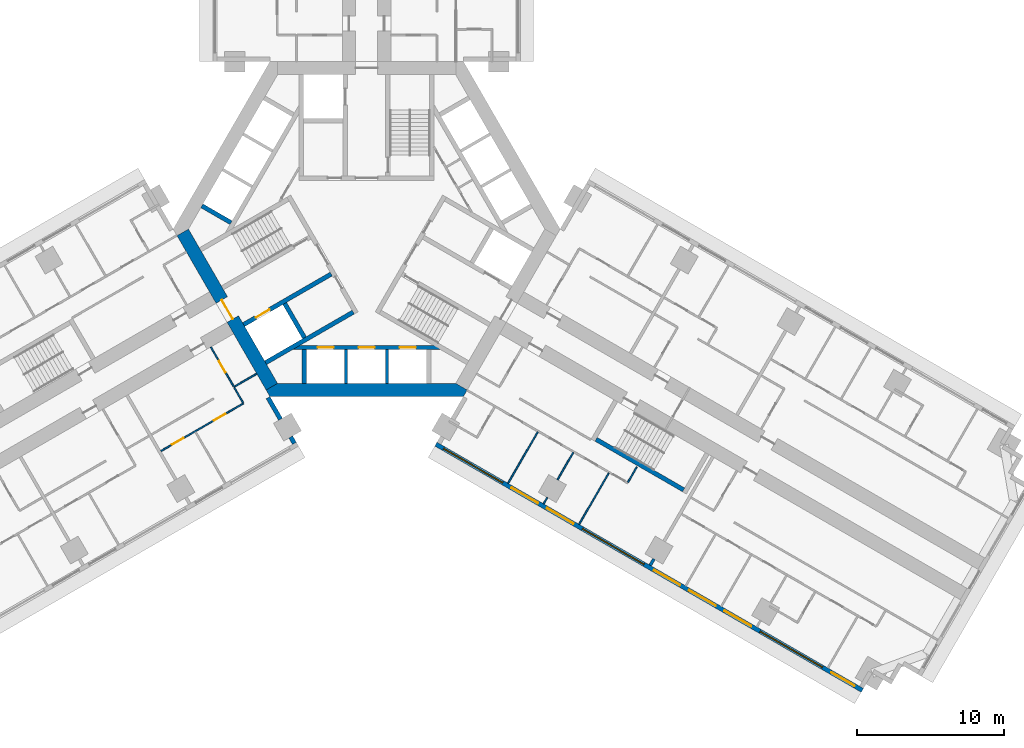
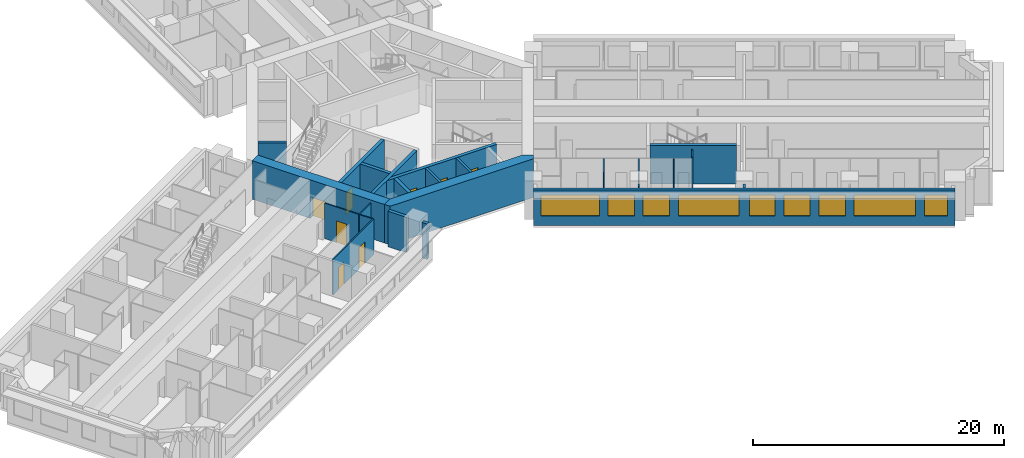
# One storey, part 5 of 14: 24 walls, 9 windows, 8 doors, 17 openings.
"""IFC4 building model written with IfcOpenShell, lengths in metres."""

from ifc_helpers import new_model, si_unit, direction, frame, frame_2d, origin, place, context, subcontext, project, spatial, polyline, rectangle, outline, extrude, material, layer, layer_set, type_object, element, fill, save


model = new_model("IFC4")

# Units and contexts
model_context = context("Model", 3, precision=1e-05, world=origin(), true_north=direction((0.0, 1.0)))
body_context = subcontext(model_context, "Body", "Model", "MODEL_VIEW")
ifc_project = project(units=[si_unit("LENGTHUNIT", "METRE"), si_unit("AREAUNIT", "SQUARE_METRE"), si_unit("VOLUMEUNIT", "CUBIC_METRE"), si_unit("PLANEANGLEUNIT", "RADIAN"), si_unit("MASSUNIT", "GRAM", prefix="KILO")], contexts=[model_context])

# Site, building, storey
site_placement = place(None, origin())
site = spatial("IfcSite", under=ifc_project, at=site_placement, CompositionType="ELEMENT")
building_placement = place(site_placement, origin())
building = spatial("IfcBuilding", under=site, at=building_placement, Name="Impinga Residences", CompositionType="ELEMENT")
storey_placement = place(building_placement, frame((0.0, 0.0, 89.75)))
storey = spatial("IfcBuildingStorey", under=building, at=storey_placement, Name="L22", CompositionType="ELEMENT", Elevation=89.75)

# Wall, openings, windows
ifc_material_1 = material(Name="Terracotta rainscreen on blockwork", Category="masonry")
ifc_layer_1 = layer(ifc_material_1, 0.300048828125)
ifc_layer_set_1 = layer_set([ifc_layer_1], Name="EW1 external wall, terracotta rainscreen on blockwork 300")
wall_type_1 = type_object("IfcWallType", Name="EW1 external wall, terracotta rainscreen on blockwork 300", PredefinedType="SOLIDWALL", material=ifc_layer_set_1)
wall_1_placement = place(storey_placement, frame((33.823486328125, -31.479248046875, 0.0), z_axis=(0.0, 0.0, 1.0), x_axis=(-0.866024291668, 0.500001926238, 0.0)))
wall_1 = element("IfcWall", 1, at=wall_1_placement, inside=storey, type_object=wall_type_1, Name="External wall EW1 L22", PredefinedType="SOLIDWALL", context=body_context, shape_type="SweptSolid", body=[
    extrude(rectangle(XDim=33.599853515625, YDim=0.300048828125, at=frame_2d((16.7998046875, 0.0))), origin(), (0.0, 0.0, 1.0), 3.449951171875),
])
opening_1_placement = place(wall_1_placement, frame((0.60009765625, 0.0, 0.89990234375)))
opening_1 = element("IfcOpeningElement", 2, at=opening_1_placement, cuts=wall_1, Name="Opening W15", PredefinedType="OPENING", context=body_context, shape_type="SweptSolid", body=[
    extrude(rectangle(XDim=1.85009765625, YDim=2.050048828125, at=frame_2d((0.925048828125, 1.02490234375))), frame((0.0, 0.159912109375, 0.0), z_axis=(0.0, -1.0, 0.0), x_axis=(1.0, 0.0, 0.0)), (0.0, 0.0, 1.0), 0.320068359375),
])
opening_2_placement = place(wall_1_placement, frame((3.14990234375, 0.0, 0.89990234375)))
opening_2 = element("IfcOpeningElement", 3, at=opening_2_placement, cuts=wall_1, Name="Opening W16", PredefinedType="OPENING", context=body_context, shape_type="SweptSolid", body=[
    extrude(rectangle(XDim=4.89990234375, YDim=2.050048828125, at=frame_2d((2.449951171875, 1.02490234375))), frame((0.0, 0.159912109375, 0.0), z_axis=(0.0, -1.0, 0.0), x_axis=(1.0, 0.0, 0.0)), (0.0, 0.0, 1.0), 0.320068359375),
])
opening_3_placement = place(wall_1_placement, frame((8.75, 0.0, 0.89990234375)))
opening_3 = element("IfcOpeningElement", 4, at=opening_3_placement, cuts=wall_1, Name="Opening W9", PredefinedType="OPENING", context=body_context, shape_type="SweptSolid", body=[
    extrude(rectangle(XDim=2.10009765625, YDim=2.050048828125, at=frame_2d((1.050048828125, 1.02490234375))), frame((0.0, 0.159912109375, 0.0), z_axis=(0.0, -1.0, 0.0), x_axis=(1.0, 0.0, 0.0)), (0.0, 0.0, 1.0), 0.320068359375),
])
opening_4_placement = place(wall_1_placement, frame((11.550048828125, 0.0, 0.89990234375)))
opening_4 = element("IfcOpeningElement", 5, at=opening_4_placement, cuts=wall_1, Name="Opening W9", PredefinedType="OPENING", context=body_context, shape_type="SweptSolid", body=[
    extrude(rectangle(XDim=2.10009765625, YDim=2.050048828125, at=frame_2d((1.050048828125, 1.02490234375))), frame((0.0, 0.159912109375, 0.0), z_axis=(0.0, -1.0, 0.0), x_axis=(1.0, 0.0, 0.0)), (0.0, 0.0, 1.0), 0.320068359375),
])
opening_5_placement = place(wall_1_placement, frame((14.35009765625, 0.0, 0.89990234375)))
opening_5 = element("IfcOpeningElement", 6, at=opening_5_placement, cuts=wall_1, Name="Opening W14", PredefinedType="OPENING", context=body_context, shape_type="SweptSolid", body=[
    extrude(rectangle(XDim=2.050048828125, YDim=2.050048828125, at=frame_2d((1.02490234375, 1.02490234375))), frame((0.0, 0.159912109375, 0.0), z_axis=(0.0, -1.0, 0.0), x_axis=(1.0, 0.0, 0.0)), (0.0, 0.0, 1.0), 0.320068359375),
])
opening_6_placement = place(wall_1_placement, frame((17.199951171875, 0.0, 0.89990234375)))
opening_6 = element("IfcOpeningElement", 7, at=opening_6_placement, cuts=wall_1, Name="Opening W6", PredefinedType="OPENING", context=body_context, shape_type="SweptSolid", body=[
    extrude(rectangle(XDim=4.85009765625, YDim=2.050048828125, at=frame_2d((2.425048828125, 1.02490234375))), frame((0.0, 0.159912109375, 0.0), z_axis=(0.0, -1.0, 0.0), x_axis=(1.0, 0.0, 0.0)), (0.0, 0.0, 1.0), 0.320068359375),
])
opening_7_placement = place(wall_1_placement, frame((22.75, 0.0, 0.89990234375)))
opening_7 = element("IfcOpeningElement", 8, at=opening_7_placement, cuts=wall_1, Name="Opening W9", PredefinedType="OPENING", context=body_context, shape_type="SweptSolid", body=[
    extrude(rectangle(XDim=2.10009765625, YDim=2.050048828125, at=frame_2d((1.050048828125, 1.02490234375))), frame((0.0, 0.159912109375, 0.0), z_axis=(0.0, -1.0, 0.0), x_axis=(1.0, 0.0, 0.0)), (0.0, 0.0, 1.0), 0.320068359375),
])
opening_8_placement = place(wall_1_placement, frame((25.550048828125, 0.0, 0.89990234375)))
opening_8 = element("IfcOpeningElement", 9, at=opening_8_placement, cuts=wall_1, Name="Opening W9", PredefinedType="OPENING", context=body_context, shape_type="SweptSolid", body=[
    extrude(rectangle(XDim=2.10009765625, YDim=2.050048828125, at=frame_2d((1.050048828125, 1.02490234375))), frame((0.0, 0.159912109375, 0.0), z_axis=(0.0, -1.0, 0.0), x_axis=(1.0, 0.0, 0.0)), (0.0, 0.0, 1.0), 0.320068359375),
])
opening_9_placement = place(wall_1_placement, frame((28.35009765625, 0.0, 0.89990234375)))
opening_9 = element("IfcOpeningElement", 10, at=opening_9_placement, cuts=wall_1, Name="Opening W10", PredefinedType="OPENING", context=body_context, shape_type="SweptSolid", body=[
    extrude(rectangle(XDim=4.64990234375, YDim=2.050048828125, at=frame_2d((2.324951171875, 1.02490234375))), frame((0.0, 0.159912109375, 0.0), z_axis=(0.0, -1.0, 0.0), x_axis=(1.0, 0.0, 0.0)), (0.0, 0.0, 1.0), 0.320068359375),
])
ifc_material_2 = material(Name="Aluminium window, clear double glazing", Category="aluminium")
window_type_1 = type_object("IfcWindowType", Name="W10 ribbon window 4650x2050", PartitioningType="SINGLE_PANEL", PredefinedType="WINDOW", material=ifc_material_2)
window_1_placement = place(opening_9_placement, origin())
window_1 = element("IfcWindow", 11, at=window_1_placement, inside=storey, type_object=window_type_1, Name="Window L22", OverallHeight=2.050048828125, OverallWidth=4.64990234375, PartitioningType="SINGLE_PANEL", PredefinedType="WINDOW", context=body_context, shape_type="SweptSolid", body=[
    extrude(rectangle(XDim=4.64990234375, YDim=2.050048828125, at=frame_2d((2.324951171875, 1.02490234375))), frame((0.0, 0.030029296875, 0.0), z_axis=(0.0, -1.0, 0.0), x_axis=(1.0, 0.0, 0.0)), (0.0, 0.0, 1.0), 0.06005859375),
])
fill(opening_9, window_1)
window_type_2 = type_object("IfcWindowType", Name="W14 ribbon window 2050x2050", PartitioningType="SINGLE_PANEL", PredefinedType="WINDOW", material=ifc_material_2)
window_2_placement = place(opening_5_placement, origin())
window_2 = element("IfcWindow", 12, at=window_2_placement, inside=storey, type_object=window_type_2, Name="Window L22", OverallHeight=2.050048828125, OverallWidth=2.050048828125, PartitioningType="SINGLE_PANEL", PredefinedType="WINDOW", context=body_context, shape_type="SweptSolid", body=[
    extrude(rectangle(XDim=2.050048828125, YDim=2.050048828125, at=frame_2d((1.02490234375, 1.02490234375))), frame((0.0, 0.030029296875, 0.0), z_axis=(0.0, -1.0, 0.0), x_axis=(1.0, 0.0, 0.0)), (0.0, 0.0, 1.0), 0.06005859375),
])
fill(opening_5, window_2)
window_type_3 = type_object("IfcWindowType", Name="W15 ribbon window 1850x2050", PartitioningType="SINGLE_PANEL", PredefinedType="WINDOW", material=ifc_material_2)
window_3_placement = place(opening_1_placement, origin())
window_3 = element("IfcWindow", 13, at=window_3_placement, inside=storey, type_object=window_type_3, Name="Window L22", OverallHeight=2.050048828125, OverallWidth=1.85009765625, PartitioningType="SINGLE_PANEL", PredefinedType="WINDOW", context=body_context, shape_type="SweptSolid", body=[
    extrude(rectangle(XDim=1.85009765625, YDim=2.050048828125, at=frame_2d((0.925048828125, 1.02490234375))), frame((0.0, 0.030029296875, 0.0), z_axis=(0.0, -1.0, 0.0), x_axis=(1.0, 0.0, 0.0)), (0.0, 0.0, 1.0), 0.06005859375),
])
fill(opening_1, window_3)
window_type_4 = type_object("IfcWindowType", Name="W16 ribbon window 4900x2050", PartitioningType="SINGLE_PANEL", PredefinedType="WINDOW", material=ifc_material_2)
window_4_placement = place(opening_2_placement, origin())
window_4 = element("IfcWindow", 14, at=window_4_placement, inside=storey, type_object=window_type_4, Name="Window L22", OverallHeight=2.050048828125, OverallWidth=4.89990234375, PartitioningType="SINGLE_PANEL", PredefinedType="WINDOW", context=body_context, shape_type="SweptSolid", body=[
    extrude(rectangle(XDim=4.89990234375, YDim=2.050048828125, at=frame_2d((2.449951171875, 1.02490234375))), frame((0.0, 0.030029296875, 0.0), z_axis=(0.0, -1.0, 0.0), x_axis=(1.0, 0.0, 0.0)), (0.0, 0.0, 1.0), 0.06005859375),
])
fill(opening_2, window_4)
window_type_5 = type_object("IfcWindowType", Name="W6 ribbon window 4850x2050", PartitioningType="SINGLE_PANEL", PredefinedType="WINDOW", material=ifc_material_2)
window_5_placement = place(opening_6_placement, origin())
window_5 = element("IfcWindow", 15, at=window_5_placement, inside=storey, type_object=window_type_5, Name="Window L22", OverallHeight=2.050048828125, OverallWidth=4.85009765625, PartitioningType="SINGLE_PANEL", PredefinedType="WINDOW", context=body_context, shape_type="SweptSolid", body=[
    extrude(rectangle(XDim=4.85009765625, YDim=2.050048828125, at=frame_2d((2.425048828125, 1.02490234375))), frame((0.0, 0.030029296875, 0.0), z_axis=(0.0, -1.0, 0.0), x_axis=(1.0, 0.0, 0.0)), (0.0, 0.0, 1.0), 0.06005859375),
])
fill(opening_6, window_5)
window_type_6 = type_object("IfcWindowType", Name="W9 ribbon window 2100x2050", PartitioningType="SINGLE_PANEL", PredefinedType="WINDOW", material=ifc_material_2)
window_6_placement = place(opening_3_placement, origin())
window_6 = element("IfcWindow", 16, at=window_6_placement, inside=storey, type_object=window_type_6, Name="Window L22", OverallHeight=2.050048828125, OverallWidth=2.10009765625, PartitioningType="SINGLE_PANEL", PredefinedType="WINDOW", context=body_context, shape_type="SweptSolid", body=[
    extrude(rectangle(XDim=2.10009765625, YDim=2.050048828125, at=frame_2d((1.050048828125, 1.02490234375))), frame((0.0, 0.030029296875, 0.0), z_axis=(0.0, -1.0, 0.0), x_axis=(1.0, 0.0, 0.0)), (0.0, 0.0, 1.0), 0.06005859375),
])
fill(opening_3, window_6)
window_7_placement = place(opening_4_placement, origin())
window_7 = element("IfcWindow", 17, at=window_7_placement, inside=storey, type_object=window_type_6, Name="Window L22", OverallHeight=2.050048828125, OverallWidth=2.10009765625, PartitioningType="SINGLE_PANEL", PredefinedType="WINDOW", context=body_context, shape_type="SweptSolid", body=[
    extrude(rectangle(XDim=2.10009765625, YDim=2.050048828125, at=frame_2d((1.050048828125, 1.02490234375))), frame((0.0, 0.030029296875, 0.0), z_axis=(0.0, -1.0, 0.0), x_axis=(1.0, 0.0, 0.0)), (0.0, 0.0, 1.0), 0.06005859375),
])
fill(opening_4, window_7)
window_8_placement = place(opening_7_placement, origin())
window_8 = element("IfcWindow", 18, at=window_8_placement, inside=storey, type_object=window_type_6, Name="Window L22", OverallHeight=2.050048828125, OverallWidth=2.10009765625, PartitioningType="SINGLE_PANEL", PredefinedType="WINDOW", context=body_context, shape_type="SweptSolid", body=[
    extrude(rectangle(XDim=2.10009765625, YDim=2.050048828125, at=frame_2d((1.050048828125, 1.02490234375))), frame((0.0, 0.030029296875, 0.0), z_axis=(0.0, -1.0, 0.0), x_axis=(1.0, 0.0, 0.0)), (0.0, 0.0, 1.0), 0.06005859375),
])
fill(opening_7, window_8)
window_9_placement = place(opening_8_placement, origin())
window_9 = element("IfcWindow", 19, at=window_9_placement, inside=storey, type_object=window_type_6, Name="Window L22", OverallHeight=2.050048828125, OverallWidth=2.10009765625, PartitioningType="SINGLE_PANEL", PredefinedType="WINDOW", context=body_context, shape_type="SweptSolid", body=[
    extrude(rectangle(XDim=2.10009765625, YDim=2.050048828125, at=frame_2d((1.050048828125, 1.02490234375))), frame((0.0, 0.030029296875, 0.0), z_axis=(0.0, -1.0, 0.0), x_axis=(1.0, 0.0, 0.0)), (0.0, 0.0, 1.0), 0.06005859375),
])
fill(opening_8, window_9)

# Walls
wall_2_placement = place(storey_placement, frame((-6.72998046875, -11.506591796875, 0.0), z_axis=(0.0, 0.0, 1.0), x_axis=(0.500062241894, -0.865989465428, 0.0)))
element("IfcWall", 20, at=wall_2_placement, inside=storey, type_object=wall_type_1, Name="External wall EW1 L22", PredefinedType="SOLIDWALL", context=body_context, shape_type="SweptSolid", body=[
    extrude(rectangle(XDim=1.699951171875, YDim=0.300048828125, at=frame_2d((0.85009765625, 0.0))), origin(), (0.0, 0.0, 1.0), 3.449951171875),
])
wall_3_placement = place(storey_placement, frame((-5.179931640625, -14.191162109375, 0.0), z_axis=(0.0, 0.0, 1.0), x_axis=(0.499919672301, -0.866071776036, 0.0)))
element("IfcWall", 21, at=wall_3_placement, inside=storey, type_object=wall_type_1, Name="External wall EW1 L22", PredefinedType="SOLIDWALL", context=body_context, shape_type="SweptSolid", body=[
    extrude(rectangle(XDim=0.5, YDim=0.300048828125, at=frame_2d((0.25, 0.0))), origin(), (0.0, 0.0, 1.0), 3.449951171875),
])
ifc_material_3 = material(Name="Gypsum board on steel studs", Category="steel")
ifc_layer_2 = layer(ifc_material_3, 0.10009765625)
ifc_layer_set_2 = layer_set([ifc_layer_2], Name="Gypsum board on steel studs")
wall_type_2 = type_object("IfcWallType", Name="IP1 partition 100", PredefinedType="PARTITIONING", material=ifc_layer_set_2)
wall_4_placement = place(storey_placement, frame((-7.5, -9.872802734375, 0.0), z_axis=(0.0, 0.0, 1.0), x_axis=(-0.866047807691, -0.499961193289, 0.0)))
element("IfcWall", 22, at=wall_4_placement, inside=storey, type_object=wall_type_2, Name="Partition L22-WA1:DIV0", PredefinedType="PARTITIONING", context=body_context, shape_type="SweptSolid", body=[
    extrude(rectangle(XDim=1.800048828125, YDim=0.10009765625, at=frame_2d((0.89990234375, 0.0))), origin(), (0.0, 0.0, 1.0), 3.449951171875),
])

# Wall, openings, doors
wall_5_placement = place(storey_placement, frame((-8.408935546875, -11.8984375, 0.0), z_axis=(0.0, 0.0, 1.0), x_axis=(-0.866024837091, -0.50000098154, 0.0)))
wall_5 = element("IfcWall", 23, at=wall_5_placement, inside=storey, type_object=wall_type_2, Name="Partition L22-WA1:STRIP", PredefinedType="PARTITIONING", context=body_context, shape_type="SweptSolid", body=[
    extrude(rectangle(XDim=6.5, YDim=0.10009765625, at=frame_2d((3.25, 0.0))), origin(), (0.0, 0.0, 1.0), 3.449951171875),
])
opening_10_placement = place(wall_5_placement, frame((1.425048828125, 0.0, 0.0)))
opening_10 = element("IfcOpeningElement", 24, at=opening_10_placement, cuts=wall_5, Name="Opening D2", PredefinedType="OPENING", context=body_context, shape_type="SweptSolid", body=[
    extrude(rectangle(XDim=0.89990234375, YDim=2.10009765625, at=frame_2d((0.449951171875, 1.050048828125))), frame((0.0, 0.06005859375, 0.0), z_axis=(0.0, -1.0, 0.0), x_axis=(1.0, 0.0, 0.0)), (0.0, 0.0, 1.0), 0.1201171875),
])
opening_11_placement = place(wall_5_placement, frame((4.72509765625, 0.0, 0.0)))
opening_11 = element("IfcOpeningElement", 25, at=opening_11_placement, cuts=wall_5, Name="Opening D2", PredefinedType="OPENING", context=body_context, shape_type="SweptSolid", body=[
    extrude(rectangle(XDim=0.89990234375, YDim=2.10009765625, at=frame_2d((0.449951171875, 1.050048828125))), frame((0.0, 0.06005859375, 0.0), z_axis=(0.0, -1.0, 0.0), x_axis=(1.0, 0.0, 0.0)), (0.0, 0.0, 1.0), 0.1201171875),
])
ifc_material_4 = material(Name="Timber door set", Category="wood")
door_type_1 = type_object("IfcDoorType", Name="D2 internal door 900x2100", OperationType="SINGLE_SWING_LEFT", PredefinedType="DOOR", material=ifc_material_4)
door_1_placement = place(opening_10_placement, origin())
door_1 = element("IfcDoor", 26, at=door_1_placement, inside=storey, type_object=door_type_1, Name="Apartment L22-WA1 room door", OperationType="SINGLE_SWING_LEFT", OverallHeight=2.10009765625, OverallWidth=0.89990234375, PredefinedType="DOOR", context=body_context, shape_type="SweptSolid", body=[
    extrude(rectangle(XDim=0.89990234375, YDim=2.10009765625, at=frame_2d((0.449951171875, 1.050048828125))), frame((0.0, 0.02490234375, 0.0), z_axis=(0.0, -1.0, 0.0), x_axis=(1.0, 0.0, 0.0)), (0.0, 0.0, 1.0), 0.050048828125),
])
fill(opening_10, door_1)
door_2_placement = place(opening_11_placement, origin())
door_2 = element("IfcDoor", 27, at=door_2_placement, inside=storey, type_object=door_type_1, Name="Apartment L22-WA1 room door", OperationType="SINGLE_SWING_RIGHT", OverallHeight=2.10009765625, OverallWidth=0.89990234375, PredefinedType="DOOR", context=body_context, shape_type="SweptSolid", body=[
    extrude(rectangle(XDim=0.89990234375, YDim=2.10009765625, at=frame_2d((0.449951171875, 1.050048828125))), frame((0.0, 0.02490234375, 0.0), z_axis=(0.0, -1.0, 0.0), x_axis=(1.0, 0.0, 0.0)), (0.0, 0.0, 1.0), 0.050048828125),
])
fill(opening_11, door_2)

# Wall
wall_6_placement = place(storey_placement, frame((-9.033935546875, -10.81591796875, 0.0), z_axis=(0.0, 0.0, 1.0), x_axis=(0.500033551112, -0.866006032174, 0.0)))
element("IfcWall", 28, at=wall_6_placement, inside=storey, type_object=wall_type_2, Name="Partition L22-WA1:SE0", PredefinedType="PARTITIONING", context=body_context, shape_type="SweptSolid", body=[
    extrude(rectangle(XDim=1.2001953125, YDim=0.10009765625, at=frame_2d((0.60009765625, 0.0))), origin(), (0.0, 0.0, 1.0), 3.449951171875),
])

# Wall, opening, door
wall_7_placement = place(storey_placement, frame((-10.6337890625, -8.044677734375, 0.0), z_axis=(0.0, 0.0, 1.0), x_axis=(0.49999285859, -0.86602952684, 0.0)))
wall_7 = element("IfcWall", 29, at=wall_7_placement, inside=storey, type_object=wall_type_2, Name="Partition L22-WA1:IB1", PredefinedType="PARTITIONING", context=body_context, shape_type="SweptSolid", body=[
    extrude(rectangle(XDim=3.10009765625, YDim=0.10009765625, at=frame_2d((1.550048828125, 0.0))), origin(), (0.0, 0.0, 1.0), 3.449951171875),
])
opening_12_placement = place(wall_7_placement, frame((1.10009765625, 0.0, 0.0)))
opening_12 = element("IfcOpeningElement", 30, at=opening_12_placement, cuts=wall_7, Name="Opening D2", PredefinedType="OPENING", context=body_context, shape_type="SweptSolid", body=[
    extrude(rectangle(XDim=0.89990234375, YDim=2.10009765625, at=frame_2d((0.449951171875, 1.050048828125))), frame((0.0, 0.06005859375, 0.0), z_axis=(0.0, -1.0, 0.0), x_axis=(1.0, 0.0, 0.0)), (0.0, 0.0, 1.0), 0.1201171875),
])
door_3_placement = place(opening_12_placement, origin())
door_3 = element("IfcDoor", 31, at=door_3_placement, inside=storey, type_object=door_type_1, Name="Apartment L22-WA1 bathroom door", OperationType="SINGLE_SWING_LEFT", OverallHeight=2.10009765625, OverallWidth=0.89990234375, PredefinedType="DOOR", context=body_context, shape_type="SweptSolid", body=[
    extrude(rectangle(XDim=0.89990234375, YDim=2.10009765625, at=frame_2d((0.449951171875, 1.050048828125))), frame((0.0, 0.02490234375, 0.0), z_axis=(0.0, -1.0, 0.0), x_axis=(1.0, 0.0, 0.0)), (0.0, 0.0, 1.0), 0.050048828125),
])
fill(opening_12, door_3)

# Walls
wall_8_placement = place(storey_placement, frame((18.43017578125, -16.240966796875, 0.0), z_axis=(0.0, 0.0, 1.0), x_axis=(-0.499880961361, -0.866094119867, 0.0)))
element("IfcWall", 32, at=wall_8_placement, inside=storey, type_object=wall_type_2, Name="Partition L22-EF1:SE1", PredefinedType="PARTITIONING", context=body_context, shape_type="SweptSolid", body=[
    extrude(rectangle(XDim=1.199951171875, YDim=0.10009765625, at=frame_2d((0.60009765625, 0.0))), origin(), (0.0, 0.0, 1.0), 3.449951171875),
])
wall_9_placement = place(storey_placement, frame((11.6748046875, -13.841796875, 0.0), z_axis=(0.0, 0.0, 1.0), x_axis=(-0.500035537042, -0.866004885491, 0.0)))
element("IfcWall", 33, at=wall_9_placement, inside=storey, type_object=wall_type_2, Name="Partition L22-EF1:OB1", PredefinedType="PARTITIONING", context=body_context, shape_type="SweptSolid", body=[
    extrude(rectangle(XDim=4.050048828125, YDim=0.10009765625, at=frame_2d((2.02490234375, 0.0))), origin(), (0.0, 0.0, 1.0), 3.449951171875),
])
wall_10_placement = place(storey_placement, frame((14.099609375, -15.241943359375, 0.0), z_axis=(0.0, 0.0, 1.0), x_axis=(-0.500010803666, -0.866019166195, 0.0)))
element("IfcWall", 34, at=wall_10_placement, inside=storey, type_object=wall_type_2, Name="Partition L22-EF1:OB2", PredefinedType="PARTITIONING", context=body_context, shape_type="SweptSolid", body=[
    extrude(rectangle(XDim=2.14990234375, YDim=0.10009765625, at=frame_2d((1.074951171875, 0.0))), origin(), (0.0, 0.0, 1.0), 3.449951171875),
])
wall_11_placement = place(storey_placement, frame((12.32470703125, -18.316162109375, 0.0), z_axis=(0.0, 0.0, 1.0), x_axis=(-0.499919672301, -0.866071776036, 0.0)))
element("IfcWall", 35, at=wall_11_placement, inside=storey, type_object=wall_type_2, Name="Partition L22-EF1:OB2b", PredefinedType="PARTITIONING", context=body_context, shape_type="SweptSolid", body=[
    extrude(rectangle(XDim=0.5, YDim=0.10009765625, at=frame_2d((0.25, 0.0))), origin(), (0.0, 0.0, 1.0), 3.449951171875),
])
wall_12_placement = place(storey_placement, frame((16.5244140625, -16.641845703125, 0.0), z_axis=(0.0, 0.0, 1.0), x_axis=(-0.499990325971, -0.866030989016, 0.0)))
element("IfcWall", 36, at=wall_12_placement, inside=storey, type_object=wall_type_2, Name="Partition L22-EF1:OB3", PredefinedType="PARTITIONING", context=body_context, shape_type="SweptSolid", body=[
    extrude(rectangle(XDim=4.0498046875, YDim=0.10009765625, at=frame_2d((2.02490234375, 0.0))), origin(), (0.0, 0.0, 1.0), 3.449951171875),
])
ifc_material_5 = material(Name="Concrete blockwork", Category="masonry")
ifc_layer_3 = layer(ifc_material_5, 0.199951171875)
ifc_layer_set_3 = layer_set([ifc_layer_3], Name="PW1 party wall between apartments 200")
wall_type_3 = type_object("IfcWallType", Name="PW1 party wall between apartments 200", PredefinedType="SOLIDWALL", material=ifc_layer_set_3)
wall_13_placement = place(storey_placement, frame((19.59912109375, -22.51611328125, 0.0), z_axis=(0.0, 0.0, 1.0), x_axis=(-0.499919672301, -0.866071776036, 0.0)))
element("IfcWall", 37, at=wall_13_placement, inside=storey, type_object=wall_type_3, Name="Party wall between apartments L22-EF1:PARTYb", PredefinedType="SOLIDWALL", context=body_context, shape_type="SweptSolid", body=[
    extrude(rectangle(XDim=0.5, YDim=0.199951171875, at=frame_2d((0.25, 0.0))), origin(), (0.0, 0.0, 1.0), 3.449951171875),
])
ifc_material_6 = material(Name="Concrete C60/75", Category="concrete")
ifc_layer_4 = layer(ifc_material_6, 0.300048828125)
ifc_layer_set_4 = layer_set([ifc_layer_4], Name="Concrete C60/75")
wall_type_4 = type_object("IfcWallType", Name="SE1 wing stair enclosure wall 300", PredefinedType="SOLIDWALL", material=ifc_layer_set_4)
wall_14_placement = place(storey_placement, frame((15.654052734375, -14.349365234375, 0.0), z_axis=(0.0, 0.0, 1.0), x_axis=(0.866013532718, -0.500020560727, 0.0)))
element("IfcWall", 38, at=wall_14_placement, inside=storey, type_object=wall_type_4, Name="Stair enclosure wall SE1 E OUT L22", PredefinedType="SOLIDWALL", context=body_context, shape_type="SweptSolid", body=[
    extrude(rectangle(XDim=6.900146484375, YDim=0.300048828125, at=frame_2d((3.4501953125, 0.0))), origin(), (0.0, 0.0, 1.0), 3.75),
])

# Wall, opening, door
ifc_material_7 = material(Name="Concrete C70/85", Category="concrete")
ifc_layer_5 = layer(ifc_material_7, 0.89990234375)
ifc_layer_set_5 = layer_set([ifc_layer_5], Name="Concrete C70/85")
wall_type_5 = type_object("IfcWallType", Name="SW1 core wall 900", PredefinedType="SHEAR", material=ifc_layer_set_5)
wall_15_placement = place(storey_placement, frame((-6.47021484375, -10.756591796875, 0.0), z_axis=(0.0, 0.0, 1.0), x_axis=(-0.499997612506, 0.8660267822, 0.0)))
wall_15 = element("IfcWall", 39, at=wall_15_placement, inside=storey, type_object=wall_type_5, Name="Core wall SW1 W:FACE L22", PredefinedType="SHEAR", context=body_context, shape_type="SweptSolid", body=[
    extrude(rectangle(XDim=12.16064453125, YDim=0.89990234375, at=frame_2d((6.080322265625, 0.0))), origin(), (0.0, 0.0, 1.0), 3.75),
])
opening_13_placement = place(wall_15_placement, frame((5.330322265625, 0.0, 0.0)))
opening_13 = element("IfcOpeningElement", 40, at=opening_13_placement, cuts=wall_15, Name="Opening D4", PredefinedType="OPENING", context=body_context, shape_type="SweptSolid", body=[
    extrude(rectangle(XDim=1.5, YDim=2.10009765625, at=frame_2d((0.75, 1.050048828125))), frame((0.0, 0.4599609375, 0.0), z_axis=(0.0, -1.0, 0.0), x_axis=(1.0, 0.0, 0.0)), (0.0, 0.0, 1.0), 0.919921875),
])
door_type_2 = type_object("IfcDoorType", Name="D4 lobby door pair 1500x2100", OperationType="DOUBLE_DOOR_DOUBLE_SWING", PredefinedType="DOOR", material=ifc_material_4)
door_4_placement = place(opening_13_placement, origin())
door_4 = element("IfcDoor", 41, at=door_4_placement, inside=storey, type_object=door_type_2, Name="Lobby door W", OperationType="DOUBLE_DOOR_DOUBLE_SWING", OverallHeight=2.10009765625, OverallWidth=1.5, PredefinedType="DOOR", context=body_context, shape_type="SweptSolid", body=[
    extrude(rectangle(XDim=1.5, YDim=2.10009765625, at=frame_2d((0.75, 1.050048828125))), frame((0.0, 0.02490234375, 0.0), z_axis=(0.0, -1.0, 0.0), x_axis=(1.0, 0.0, 0.0)), (0.0, 0.0, 1.0), 0.050048828125),
])
fill(opening_13, door_4)

# Wall
wall_16_placement = place(storey_placement, origin())
element("IfcWall", 42, at=wall_16_placement, inside=storey, type_object=wall_type_5, Name="Core wall SW1 N:EXPOSED L22", PredefinedType="SHEAR", context=body_context, shape_type="SweptSolid", body=[
    extrude(outline(polyline([(-6.60009765625, -11.431640625), (6.60009765625, -11.431640625), (6.85986328125, -10.9814453125), (6.080322265625, -10.531494140625), (-6.080322265625, -10.531494140625), (-6.85986328125, -10.9814453125), (-6.60009765625, -11.431640625)])), origin(), (0.0, 0.0, 1.0), 3.75),
])

# Wall, opening, door
ifc_layer_6 = layer(ifc_material_7, 0.300048828125)
ifc_layer_set_6 = layer_set([ifc_layer_6], Name="Concrete C70/85")
wall_type_6 = type_object("IfcWallType", Name="SW5 core inner wall, stairs, shafts and lobbies 300", PredefinedType="SHEAR", material=ifc_layer_set_6)
wall_17_placement = place(storey_placement, frame((-2.418701171875, -3.07080078125, 0.0), z_axis=(0.0, 0.0, 1.0), x_axis=(-0.86602711848, -0.499997030048, 0.0)))
wall_17 = element("IfcWall", 43, at=wall_17_placement, inside=storey, type_object=wall_type_6, Name="Core wall SW5 W:FF-IN L22", PredefinedType="SHEAR", context=body_context, shape_type="SweptSolid", body=[
    extrude(rectangle(XDim=6.9013671875, YDim=0.300048828125, at=frame_2d((3.45068359375, 0.0))), origin(), (0.0, 0.0, 1.0), 3.75),
])
opening_14_placement = place(wall_17_placement, frame((4.85009765625, 0.0, 0.0)))
opening_14 = element("IfcOpeningElement", 44, at=opening_14_placement, cuts=wall_17, Name="Opening LD2", PredefinedType="OPENING", context=body_context, shape_type="SweptSolid", body=[
    extrude(rectangle(XDim=1.10009765625, YDim=2.10009765625, at=frame_2d((0.550048828125, 1.050048828125))), frame((0.0, 0.159912109375, 0.0), z_axis=(0.0, -1.0, 0.0), x_axis=(1.0, 0.0, 0.0)), (0.0, 0.0, 1.0), 0.320068359375),
])
ifc_material_8 = material(Name="Steel lift landing door", Category="steel")
door_type_3 = type_object("IfcDoorType", Name="LD2 firefighting lift landing door 1100x2100", OperationType="DOUBLE_DOOR_SLIDING", PredefinedType="DOOR", material=ifc_material_8)
door_5_placement = place(opening_14_placement, origin())
door_5 = element("IfcDoor", 45, at=door_5_placement, inside=storey, type_object=door_type_3, Name="Firefighting lift landing door F2", OperationType="DOUBLE_DOOR_SLIDING", OverallHeight=2.10009765625, OverallWidth=1.10009765625, PredefinedType="DOOR", context=body_context, shape_type="SweptSolid", body=[
    extrude(rectangle(XDim=1.10009765625, YDim=2.10009765625, at=frame_2d((0.550048828125, 1.050048828125))), frame((0.0, 0.02490234375, 0.0), z_axis=(0.0, -1.0, 0.0), x_axis=(1.0, 0.0, 0.0)), (0.0, 0.0, 1.0), 0.050048828125),
])
fill(opening_14, door_5)

# Walls
wall_18_placement = place(storey_placement, frame((-0.918701171875, -5.668701171875, 0.0), z_axis=(0.0, 0.0, 1.0), x_axis=(-0.866011800373, -0.500023561059, 0.0)))
element("IfcWall", 46, at=wall_18_placement, inside=storey, type_object=wall_type_6, Name="Core wall SW5 W:FF-OUT L22", PredefinedType="SHEAR", context=body_context, shape_type="SweptSolid", body=[
    extrude(rectangle(XDim=6.901611328125, YDim=0.300048828125, at=frame_2d((3.45068359375, 0.0))), origin(), (0.0, 0.0, 1.0), 3.75),
])
wall_19_placement = place(storey_placement, frame((-4.2412109375, -7.413818359375, 0.0), z_axis=(0.0, 0.0, 1.0), x_axis=(-0.500048589285, 0.86599734893, 0.0)))
element("IfcWall", 47, at=wall_19_placement, inside=storey, type_object=wall_type_6, Name="Core wall SW5 W:FF-RS L22", PredefinedType="SHEAR", context=body_context, shape_type="SweptSolid", body=[
    extrude(rectangle(XDim=2.699951171875, YDim=0.300048828125, at=frame_2d((1.35009765625, 0.0))), origin(), (0.0, 0.0, 1.0), 3.75),
])

# Wall, openings, doors
wall_20_placement = place(storey_placement, frame((5.09765625, -8.08154296875, 0.0), z_axis=(0.0, 0.0, 1.0), x_axis=(-1.0, 0.0, 0.0)))
wall_20 = element("IfcWall", 48, at=wall_20_placement, inside=storey, type_object=wall_type_6, Name="Core wall SW5 N:BANK-FRONT L22", PredefinedType="SHEAR", context=body_context, shape_type="SweptSolid", body=[
    extrude(rectangle(XDim=10.1953125, YDim=0.300048828125, at=frame_2d((5.09765625, 0.0))), origin(), (0.0, 0.0, 1.0), 3.75),
])
opening_15_placement = place(wall_20_placement, frame((1.74755859375, 0.0, 0.0)))
opening_15 = element("IfcOpeningElement", 49, at=opening_15_placement, cuts=wall_20, Name="Opening LD1", PredefinedType="OPENING", context=body_context, shape_type="SweptSolid", body=[
    extrude(rectangle(XDim=1.10009765625, YDim=2.10009765625, at=frame_2d((0.550048828125, 1.050048828125))), frame((0.0, 0.159912109375, 0.0), z_axis=(0.0, -1.0, 0.0), x_axis=(1.0, 0.0, 0.0)), (0.0, 0.0, 1.0), 0.320068359375),
])
opening_16_placement = place(wall_20_placement, frame((4.547607421875, 0.0, 0.0)))
opening_16 = element("IfcOpeningElement", 50, at=opening_16_placement, cuts=wall_20, Name="Opening LD1", PredefinedType="OPENING", context=body_context, shape_type="SweptSolid", body=[
    extrude(rectangle(XDim=1.10009765625, YDim=2.10009765625, at=frame_2d((0.550048828125, 1.050048828125))), frame((0.0, 0.159912109375, 0.0), z_axis=(0.0, -1.0, 0.0), x_axis=(1.0, 0.0, 0.0)), (0.0, 0.0, 1.0), 0.320068359375),
])
opening_17_placement = place(wall_20_placement, frame((7.34765625, 0.0, 0.0)))
opening_17 = element("IfcOpeningElement", 51, at=opening_17_placement, cuts=wall_20, Name="Opening LD1", PredefinedType="OPENING", context=body_context, shape_type="SweptSolid", body=[
    extrude(rectangle(XDim=1.10009765625, YDim=2.10009765625, at=frame_2d((0.550048828125, 1.050048828125))), frame((0.0, 0.159912109375, 0.0), z_axis=(0.0, -1.0, 0.0), x_axis=(1.0, 0.0, 0.0)), (0.0, 0.0, 1.0), 0.320068359375),
])
door_type_4 = type_object("IfcDoorType", Name="LD1 passenger lift landing door 1100x2100", OperationType="DOUBLE_DOOR_SLIDING", PredefinedType="DOOR", material=ifc_material_8)
door_6_placement = place(opening_15_placement, origin())
door_6 = element("IfcDoor", 52, at=door_6_placement, inside=storey, type_object=door_type_4, Name="Lift landing door P1", OperationType="DOUBLE_DOOR_SLIDING", OverallHeight=2.10009765625, OverallWidth=1.10009765625, PredefinedType="DOOR", context=body_context, shape_type="SweptSolid", body=[
    extrude(rectangle(XDim=1.10009765625, YDim=2.10009765625, at=frame_2d((0.550048828125, 1.050048828125))), frame((0.0, 0.02490234375, 0.0), z_axis=(0.0, -1.0, 0.0), x_axis=(1.0, 0.0, 0.0)), (0.0, 0.0, 1.0), 0.050048828125),
])
fill(opening_15, door_6)
door_7_placement = place(opening_16_placement, origin())
door_7 = element("IfcDoor", 53, at=door_7_placement, inside=storey, type_object=door_type_4, Name="Lift landing door P2", OperationType="DOUBLE_DOOR_SLIDING", OverallHeight=2.10009765625, OverallWidth=1.10009765625, PredefinedType="DOOR", context=body_context, shape_type="SweptSolid", body=[
    extrude(rectangle(XDim=1.10009765625, YDim=2.10009765625, at=frame_2d((0.550048828125, 1.050048828125))), frame((0.0, 0.02490234375, 0.0), z_axis=(0.0, -1.0, 0.0), x_axis=(1.0, 0.0, 0.0)), (0.0, 0.0, 1.0), 0.050048828125),
])
fill(opening_16, door_7)
door_8_placement = place(opening_17_placement, origin())
door_8 = element("IfcDoor", 54, at=door_8_placement, inside=storey, type_object=door_type_4, Name="Lift landing door P3", OperationType="DOUBLE_DOOR_SLIDING", OverallHeight=2.10009765625, OverallWidth=1.10009765625, PredefinedType="DOOR", context=body_context, shape_type="SweptSolid", body=[
    extrude(rectangle(XDim=1.10009765625, YDim=2.10009765625, at=frame_2d((0.550048828125, 1.050048828125))), frame((0.0, 0.02490234375, 0.0), z_axis=(0.0, -1.0, 0.0), x_axis=(1.0, 0.0, 0.0)), (0.0, 0.0, 1.0), 0.050048828125),
])
fill(opening_17, door_8)

# Walls
for number, where, z_axis, x_axis, name in (
    (55, (-4.25, -8.2314453125, 0.0), (0.0, 0.0, 1.0), (0.0, -1.0, 0.0), "Core wall SW5 N:BANK-R L22"),
    (56, (-9.253662109375, 0.43505859375, 0.0), (0.0, 0.0, 1.0), (-0.866007057882, 0.500031774688, 0.0), "Core wall SW5 E:BANK-L L22"),
):
    element("IfcWall", number, at=place(storey_placement, frame(where, z_axis=z_axis, x_axis=x_axis)), inside=storey, type_object=wall_type_6, Name=name, PredefinedType="SHEAR", context=body_context, shape_type="SweptSolid", body=[
        extrude(rectangle(XDim=2.300048828125, YDim=0.300048828125, at=frame_2d((1.14990234375, 0.0))), origin(), (0.0, 0.0, 1.0), 3.75),
    ])
ifc_layer_7 = layer(ifc_material_7, 0.199951171875)
ifc_layer_set_7 = layer_set([ifc_layer_7], Name="Concrete C70/85")
wall_type_7 = type_object("IfcWallType", Name="SW6 lift shaft divider wall 200", PredefinedType="SHEAR", material=ifc_layer_set_7)
for number, where, z_axis, x_axis, name in (
    (57, (1.39990234375, -8.2314453125, 0.0), (0.0, 0.0, 1.0), (0.0, -1.0, 0.0), "Core wall SW6 N:BANK-D1 L22"),
    (58, (-1.39990234375, -8.2314453125, 0.0), (0.0, 0.0, 1.0), (0.0, -1.0, 0.0), "Core wall SW6 N:BANK-D2 L22"),
):
    element("IfcWall", number, at=place(storey_placement, frame(where, z_axis=z_axis, x_axis=x_axis)), inside=storey, type_object=wall_type_7, Name=name, PredefinedType="SHEAR", context=body_context, shape_type="SweptSolid", body=[
        extrude(rectangle(XDim=2.300048828125, YDim=0.199951171875, at=frame_2d((1.14990234375, 0.0))), origin(), (0.0, 0.0, 1.0), 3.75),
    ])

save(model, "model.ifc")
